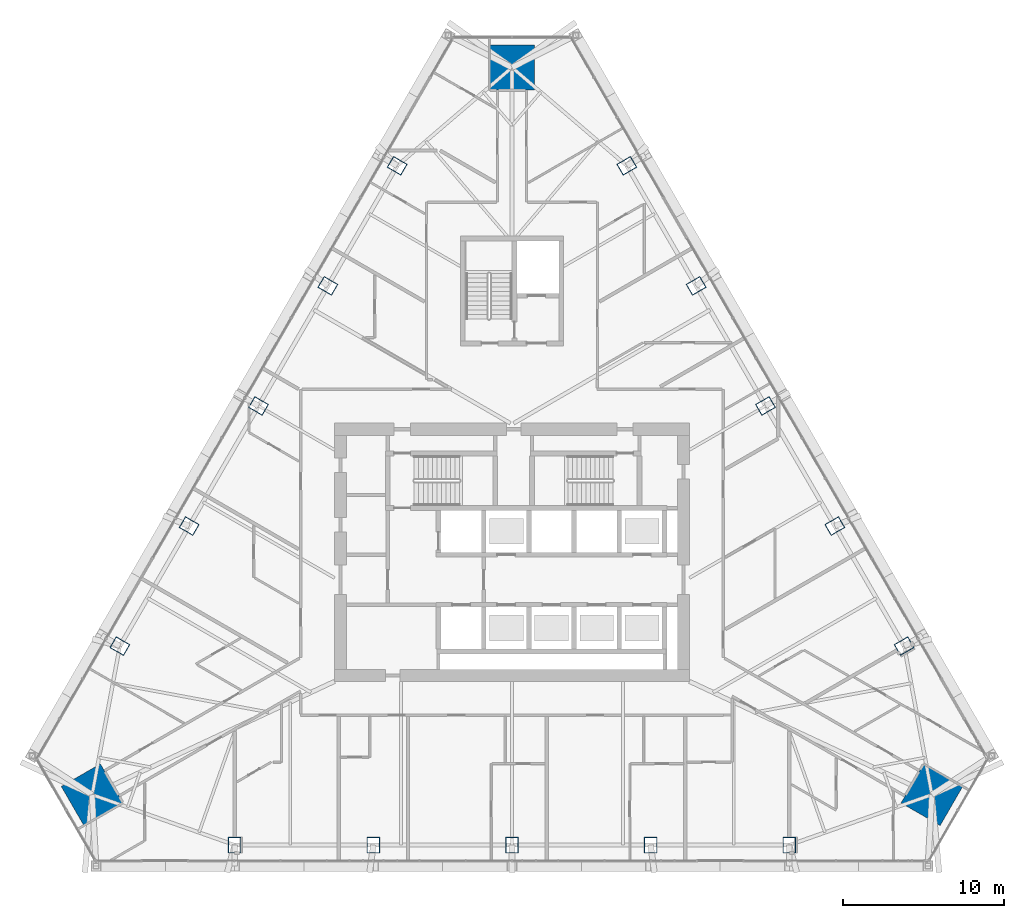
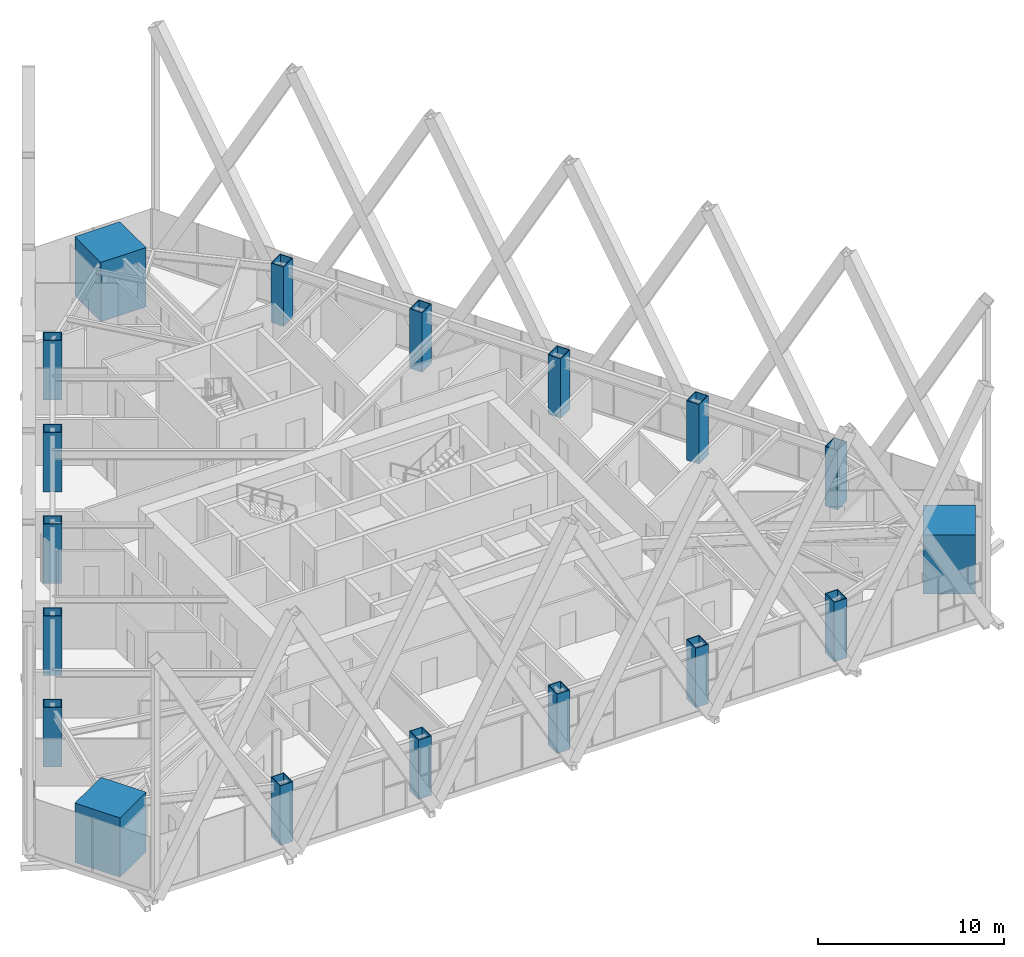
# One storey, part 1 of 23: 18 columns.
"""IFC4 building model written with IfcOpenShell, lengths in metres."""

from ifc_helpers import new_model, si_unit, direction, frame, origin, origin_2d, place, context, subcontext, project, spatial, rectangle, hollow_rectangle, extrude, material, material_profile, profile_set, type_object, element, save


model = new_model("IFC4")

# Units and contexts
model_context = context("Model", 3, precision=1e-05, world=origin(), true_north=direction((0.0, 1.0)))
body_context = subcontext(model_context, "Body", "Model", "MODEL_VIEW")
ifc_project = project(units=[si_unit("LENGTHUNIT", "METRE"), si_unit("AREAUNIT", "SQUARE_METRE"), si_unit("VOLUMEUNIT", "CUBIC_METRE"), si_unit("PLANEANGLEUNIT", "RADIAN"), si_unit("MASSUNIT", "GRAM", prefix="KILO")], contexts=[model_context])

# Site, building, storey
site_placement = place(None, origin())
site = spatial("IfcSite", under=ifc_project, at=site_placement, CompositionType="ELEMENT")
building_placement = place(site_placement, origin())
building = spatial("IfcBuilding", under=site, at=building_placement, Name="Firuza Gate Tower and Library", CompositionType="ELEMENT")
storey_placement = place(building_placement, frame((0.0, 0.0, 202.60009765625)))
storey = spatial("IfcBuildingStorey", under=building, at=storey_placement, Name="L47", CompositionType="ELEMENT", Elevation=202.60009765625)

# Columns
ifc_material_1 = material(Name="Steel S355", Category="steel")
ifc_material_profile_1 = material_profile(ifc_material_1, hollow_rectangle(XDim=0.800048828125, YDim=1.0, WallThickness=0.050048828125, at=origin_2d()))
ifc_profile_set_1 = profile_set([ifc_material_profile_1], Name="Steel S355")
column_type_1 = type_object("IfcColumnType", Name="BU1000x800x50 Composite box column", PredefinedType="COLUMN", material=ifc_profile_set_1)
for number, where, z_axis, x_axis, name in (
    (1, (57.8125, 56.8583984375, -0.00048828125), (0.0, 0.0, 1.0), (1.0, 0.0, 0.0), "Column S1 L47"),
    (2, (66.40625, 56.8583984375, -0.00048828125), (0.0, 0.0, 1.0), (1.0, 0.0, 0.0), "Column S2 L47"),
    (3, (75.0, 56.8583984375, -0.00048828125), (0.0, 0.0, 1.0), (1.0, 0.0, 0.0), "Column S3 L47"),
    (4, (83.59375, 56.8583984375, -0.00048828125), (0.0, 0.0, 1.0), (1.0, 0.0, 0.0), "Column S4 L47"),
    (5, (92.1875, 56.8583984375, -0.00048828125), (0.0, 0.0, 1.0), (1.0, 0.0, 0.0), "Column S5 L47"),
    (6, (99.304931640625, 69.18603515625, -0.00048828125), (0.0, 0.0, 1.0), (-0.5, 0.866025403784, 0.0), "Column E1 L47"),
    (7, (95.008056640625, 76.62841796875, -0.00048828125), (0.0, 0.0, 1.0), (-0.5, 0.866025403784, 0.0), "Column E2 L47"),
    (8, (90.711181640625, 84.07080078125, -0.00048828125), (0.0, 0.0, 1.0), (-0.5, 0.866025403784, 0.0), "Column E3 L47"),
    (9, (86.414306640625, 91.51318359375, -0.00048828125), (0.0, 0.0, 1.0), (-0.5, 0.866025403784, 0.0), "Column E4 L47"),
    (10, (82.117431640625, 98.95556640625, -0.00048828125), (0.0, 0.0, 1.0), (-0.5, 0.866025403784, 0.0), "Column E5 L47"),
    (11, (67.882568359375, 98.95556640625, -0.00048828125), (0.0, 0.0, 1.0), (-0.5, -0.866025403784, 0.0), "Column W1 L47"),
    (12, (63.585693359375, 91.51318359375, -0.00048828125), (0.0, 0.0, 1.0), (-0.5, -0.866025403784, 0.0), "Column W2 L47"),
    (13, (59.288818359375, 84.07080078125, -0.00048828125), (0.0, 0.0, 1.0), (-0.5, -0.866025403784, 0.0), "Column W3 L47"),
    (14, (54.991943359375, 76.62841796875, -0.00048828125), (0.0, 0.0, 1.0), (-0.5, -0.866025403784, 0.0), "Column W4 L47"),
    (15, (50.695068359375, 69.18603515625, -0.00048828125), (0.0, 0.0, 1.0), (-0.5, -0.866025403784, 0.0), "Column W5 L47"),
):
    element("IfcColumn", number, at=place(storey_placement, frame(where, z_axis=z_axis, x_axis=x_axis)), inside=storey, type_object=column_type_1, Name=name, PredefinedType="COLUMN", context=body_context, shape_type="SweptSolid", body=[
        extrude(hollow_rectangle(XDim=0.800048828125, YDim=1.0, WallThickness=0.050048828125, at=origin_2d()), origin(), (0.0, 0.0, 1.0), 3.900390625),
    ])
ifc_material_2 = material(Name="Concrete C80/95", Category="concrete")
ifc_material_profile_2 = material_profile(ifc_material_2, rectangle(XDim=2.800048828125, YDim=2.800048828125, at=origin_2d()))
ifc_profile_set_2 = profile_set([ifc_material_profile_2], Name="Concrete C80/95")
column_type_2 = type_object("IfcColumnType", Name="Mega column 2800x2800 C80/95", PredefinedType="COLUMN", material=ifc_profile_set_2)
for number, where, z_axis, x_axis, name in (
    (16, (101.0224609375, 59.97607421875, 0.0), (0.0, 0.0, 1.0), (0.5, 0.866025403784, 0.0), "Mega column SE L47"),
    (17, (75.0, 105.048095703125, 0.0), (0.0, 0.0, 1.0), (-1.0, 0.0, 0.0), "Mega column N L47"),
    (18, (48.9775390625, 59.97607421875, 0.0), (0.0, 0.0, 1.0), (0.5, -0.866025403784, 0.0), "Mega column SW L47"),
):
    element("IfcColumn", number, at=place(storey_placement, frame(where, z_axis=z_axis, x_axis=x_axis)), inside=storey, type_object=column_type_2, Name=name, PredefinedType="COLUMN", context=body_context, shape_type="SweptSolid", body=[
        extrude(rectangle(XDim=2.800048828125, YDim=2.800048828125, at=origin_2d()), origin(), (0.0, 0.0, 1.0), 3.89990234375),
    ])

save(model, "model.ifc")
